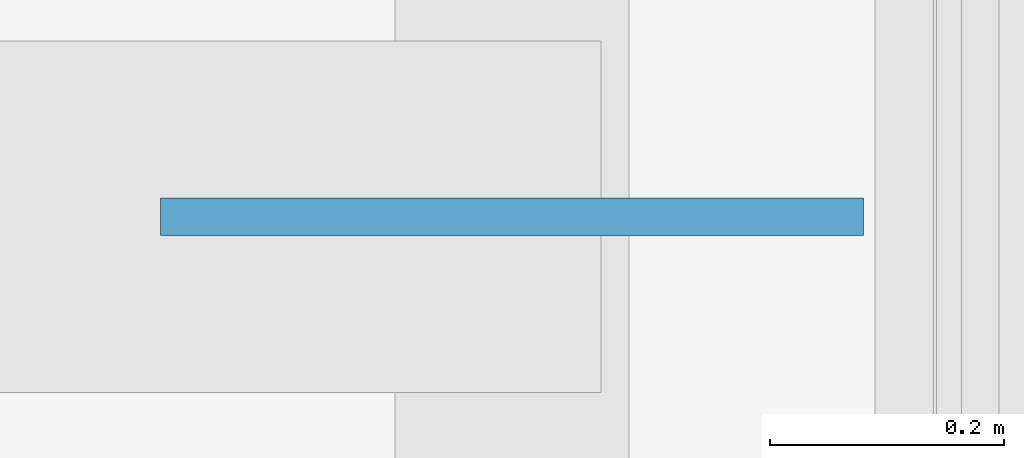
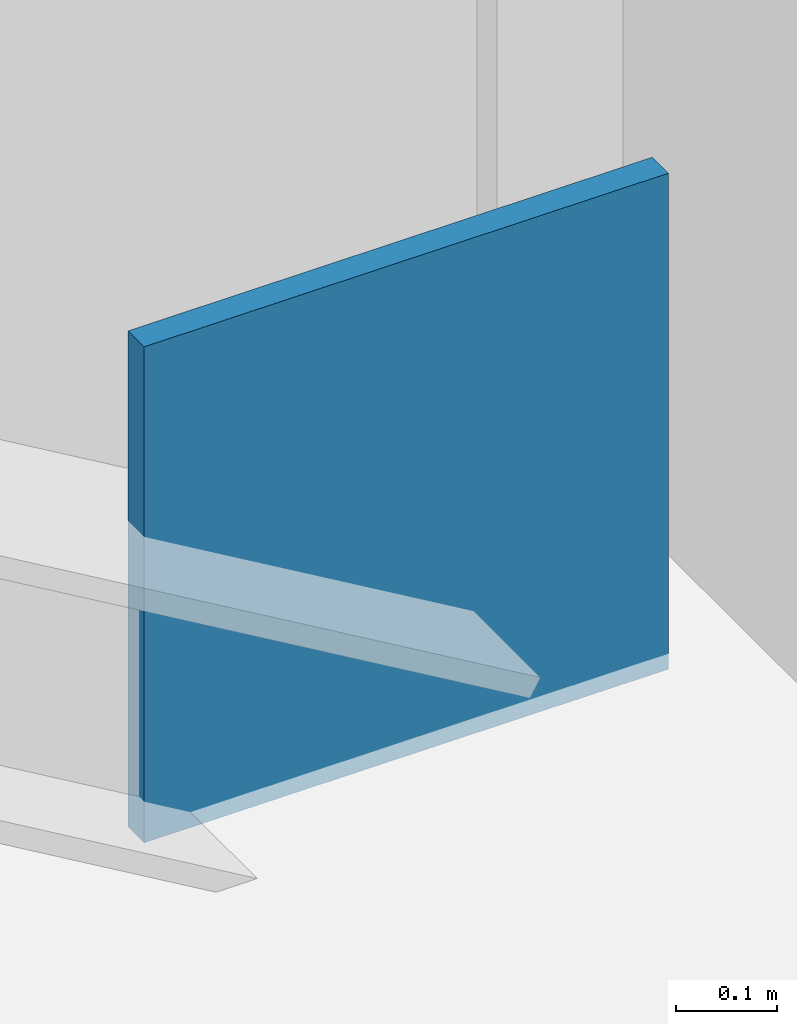
# One storey, part 29 of 38: 1 plate.
"""IFC4 building model written with IfcOpenShell, lengths in metres."""

import ifcopenshell
import ifcopenshell.guid

model = None  # the IFC model being written
_history = None  # IfcOwnerHistory: only IFC2X3 demands one
_inside = {}  # id of a spatial element -> (the spatial element, [elements in it])
_under = {}  # id of a project, library or spatial element -> (it, [spatial elements below it])
_declared = {}  # id of a project -> (the project, [libraries it declares])
_typed = {}  # id of a type object -> (the type object, [elements of that type])
_made_of = {}  # id of a material, layer set ... -> (it, [elements and type objects made of it])


def new_model(schema):
    """Start an empty IFC model of exactly this schema.

    Asked for "IFC4X3", IfcOpenShell would pick the latest addendum, in which some entities
    have other attributes; the version numbers below select the first issue.
    IFC2X3 requires an IfcOwnerHistory on every rooted entity: one is made here for all.
    """
    global model, _history
    if schema == "IFC4X3":
        model = ifcopenshell.file(schema_version=(4, 3, 0, 0))
    else:
        model = ifcopenshell.file(schema=schema)
    _inside.clear()
    _under.clear()
    _declared.clear()
    _typed.clear()
    _made_of.clear()
    _history = None
    if model.schema == "IFC2X3":
        org = make("IfcOrganization", Name="unknown")
        user = make(
            "IfcPersonAndOrganization",
            ThePerson=make("IfcPerson", FamilyName="unknown"),
            TheOrganization=org,
        )
        app = make(
            "IfcApplication",
            ApplicationDeveloper=org,
            Version="unknown",
            ApplicationFullName="unknown",
            ApplicationIdentifier="unknown",
        )
        _history = make(
            "IfcOwnerHistory",
            OwningUser=user,
            OwningApplication=app,
            ChangeAction="ADDED",
            CreationDate=0,
        )
    return model


def make(cls, **values):
    """One entity of the class cls with the attributes given. An attribute that is None is left unset."""
    return model.create_entity(
        cls, **{name: value for name, value in values.items() if value is not None}
    )


def rooted(cls, **values):
    """An entity with a GlobalId (a new one), such as an element, a storey or a relation."""
    return make(cls, GlobalId=ifcopenshell.guid.new(), OwnerHistory=_history, **values)


def si_unit(unit_type, name, prefix=None):
    """IfcSIUnit, for example si_unit("LENGTHUNIT", "METRE", prefix="MILLI")."""
    return make("IfcSIUnit", UnitType=unit_type, Prefix=prefix, Name=name)


def assignment(units):
    """IfcUnitAssignment: the units of a project."""
    return None if units is None else make("IfcUnitAssignment", Units=units)


def point(xyz):
    """IfcCartesianPoint."""
    return None if xyz is None else make("IfcCartesianPoint", Coordinates=xyz)


def direction(xyz):
    """IfcDirection."""
    return None if xyz is None else make("IfcDirection", DirectionRatios=xyz)


def frame(location, z_axis=None, x_axis=None):
    """IfcAxis2Placement3D, a coordinate frame: its origin and axes. An axis left out is left unset."""
    return make(
        "IfcAxis2Placement3D",
        Location=point(location),
        Axis=direction(z_axis),
        RefDirection=direction(x_axis),
    )


def frame_2d(location, x_axis=None):
    """IfcAxis2Placement2D, a coordinate frame in the plane: its origin and x axis."""
    return make(
        "IfcAxis2Placement2D", Location=point(location), RefDirection=direction(x_axis)
    )


def origin():
    """The frame at (0, 0, 0) with its axes left unset."""
    return frame((0.0, 0.0, 0.0))


def origin_2d():
    """The frame at (0, 0) in the plane with its x axis left unset."""
    return frame_2d((0.0, 0.0))


def place(relative_to, where):
    """IfcLocalPlacement: puts the frame where relative to a parent placement (None: the world)."""
    return make(
        "IfcLocalPlacement", PlacementRelTo=relative_to, RelativePlacement=where
    )


def context(
    kind, dimensions, precision=None, world=None, true_north=None, identifier=None
):
    """IfcGeometricRepresentationContext, for example the 3D "Model" context."""
    return make(
        "IfcGeometricRepresentationContext",
        ContextIdentifier=identifier,
        ContextType=kind,
        CoordinateSpaceDimension=dimensions,
        Precision=precision,
        WorldCoordinateSystem=world,
        TrueNorth=true_north,
    )


def subcontext(parent, identifier, kind, view, scale=None):
    """IfcGeometricRepresentationSubContext, for example "Body" below "Model"."""
    return make(
        "IfcGeometricRepresentationSubContext",
        ContextIdentifier=identifier,
        ContextType=kind,
        ParentContext=parent,
        TargetScale=scale,
        TargetView=view,
    )


def project(units=None, contexts=None):
    """IfcProject with its units and contexts."""
    return rooted(
        "IfcProject",
        Name="project",
        RepresentationContexts=contexts,
        UnitsInContext=assignment(units),
    )


def spatial(cls, under=None, at=None, **own):
    """A site, building, storey or space (cls), placed at a placement, below another one or the project."""
    s = rooted(cls, ObjectPlacement=at, **own)
    if under is not None:
        _under.setdefault(under.id(), (under, []))[1].append(s)
    return s


def profile(cls, at=None, kind="AREA", **sizes):
    """A parametric profile (cls). Its sizes go by their IFC names, for example OverallWidth=200.0."""
    return make(cls, ProfileType=kind, Position=at, **sizes)


def rectangle(**sizes):
    """IfcRectangleProfileDef."""
    return profile("IfcRectangleProfileDef", **sizes)


def extrude(swept, where, along, depth):
    """IfcExtrudedAreaSolid: the profile swept, set in the frame where, extruded along a direction by depth."""
    return make(
        "IfcExtrudedAreaSolid",
        SweptArea=swept,
        Position=where,
        ExtrudedDirection=direction(along),
        Depth=depth,
    )


def shape(context_of_items, identifier, shape_type, items):
    """IfcShapeRepresentation: the items that make up one representation, for example the "Body"."""
    return make(
        "IfcShapeRepresentation",
        ContextOfItems=context_of_items,
        RepresentationIdentifier=identifier,
        RepresentationType=shape_type,
        Items=items,
    )


def source(mapping_origin, context_of_items, identifier, shape_type, items):
    """IfcRepresentationMap: a shape defined once, which mapped items show again and again."""
    return make(
        "IfcRepresentationMap",
        MappingOrigin=mapping_origin,
        MappedRepresentation=shape(context_of_items, identifier, shape_type, items),
    )


def transform(
    local_origin,
    x_axis=None,
    y_axis=None,
    z_axis=None,
    scale=None,
    scale2=None,
    scale3=None,
    uniform=True,
):
    """IfcCartesianTransformationOperator3D, or its non-uniform kind. x_axis, y_axis, z_axis: its Axis1, 2, 3."""
    if uniform:
        return make(
            "IfcCartesianTransformationOperator3D",
            Axis1=direction(x_axis),
            Axis2=direction(y_axis),
            LocalOrigin=point(local_origin),
            Scale=scale,
            Axis3=direction(z_axis),
        )
    return make(
        "IfcCartesianTransformationOperator3DnonUniform",
        Axis1=direction(x_axis),
        Axis2=direction(y_axis),
        LocalOrigin=point(local_origin),
        Scale=scale,
        Axis3=direction(z_axis),
        Scale2=scale2,
        Scale3=scale3,
    )


def mapped(mapping_source, mapping_target):
    """IfcMappedItem: shows the shape of a source again, moved by a transform."""
    return make(
        "IfcMappedItem", MappingSource=mapping_source, MappingTarget=mapping_target
    )


def material(Name=None, Category=None):
    """IfcMaterial."""
    return make("IfcMaterial", Name=Name, Category=Category)


def layer(
    of_material, thickness, ventilated=None, Name=None, Category=None, Priority=None
):
    """IfcMaterialLayer: one layer of a wall or slab, of a material (None: an air gap)."""
    return make(
        "IfcMaterialLayer",
        Material=of_material,
        LayerThickness=thickness,
        IsVentilated=ventilated,
        Name=Name,
        Category=Category,
        Priority=Priority,
    )


def layer_set(layers, Name=None):
    """IfcMaterialLayerSet."""
    return make("IfcMaterialLayerSet", MaterialLayers=layers, LayerSetName=Name)


def made_of(thing, what):
    """Note that an element or type object is made of a material, layer set ...; save() writes the relation."""
    if what is not None:
        _made_of.setdefault(what.id(), (what, []))[1].append(thing)
    return thing


def type_object(cls, material=None, **own):
    """A type object (cls), such as IfcWallType, which elements share."""
    return made_of(rooted(cls, **own), material)


def element(
    cls,
    number,
    at=None,
    inside=None,
    cuts=None,
    type_object=None,
    material=None,
    context=None,
    identifier="Body",
    shape_type=None,
    held_by="IfcProductDefinitionShape",
    body=None,
    shapes=None,
    **own,
):
    """One element of the class cls, such as IfcWall. Its Tag is "e" and its number.

    at: its placement. inside: the storey or other place that contains it. cuts: it is an
    opening in that element (IfcRelVoidsElement). A single representation is given by context,
    identifier, shape_type and body (its items); several are given by shapes. held_by: the class
    of the entity that holds the representations. save() writes the other relations.
    """
    e = rooted(cls, Tag="e%d" % number, ObjectPlacement=at, **own)
    if body is not None:
        shapes = [shape(context, identifier, shape_type, body)]
    if shapes is not None:
        e.Representation = make(held_by, Representations=shapes)
    if inside is not None:
        _inside.setdefault(inside.id(), (inside, []))[1].append(e)
    if cuts is not None:
        rooted(
            "IfcRelVoidsElement", RelatingBuildingElement=cuts, RelatedOpeningElement=e
        )
    if type_object is not None:
        _typed.setdefault(type_object.id(), (type_object, []))[1].append(e)
    return made_of(e, material)


def aggregate(whole, parts):
    """IfcRelAggregates: a whole, such as a stair, and the parts it consists of."""
    return rooted("IfcRelAggregates", RelatingObject=whole, RelatedObjects=parts)


def save(model, path):
    """Write the relations noted so far, then the file.

    IfcRelAggregates (storeys below a building ...), IfcRelContainedInSpatialStructure (elements
    in a storey), IfcRelDefinesByType, IfcRelAssociatesMaterial and IfcRelDeclares: one each for
    every whole, place, type object, material and project.
    """
    for whole, parts in _under.values():
        aggregate(whole, parts)
    for where, things in _inside.values():
        rooted(
            "IfcRelContainedInSpatialStructure",
            RelatedElements=things,
            RelatingStructure=where,
        )
    for kind, things in _typed.values():
        rooted("IfcRelDefinesByType", RelatedObjects=things, RelatingType=kind)
    for what, things in _made_of.values():
        rooted("IfcRelAssociatesMaterial", RelatedObjects=things, RelatingMaterial=what)
    for by, libraries in _declared.values():
        rooted("IfcRelDeclares", RelatingContext=by, RelatedDefinitions=libraries)
    model.write(path)


model = new_model("IFC4")

# Units and contexts
model_context = context("Model", 3, precision=1e-05, world=origin(), true_north=direction((0.0, 1.0)))
body_context = subcontext(model_context, "Body", "Model", "MODEL_VIEW")
ifc_project = project(units=[si_unit("LENGTHUNIT", "METRE"), si_unit("AREAUNIT", "SQUARE_METRE"), si_unit("VOLUMEUNIT", "CUBIC_METRE"), si_unit("PLANEANGLEUNIT", "RADIAN"), si_unit("MASSUNIT", "GRAM", prefix="KILO")], contexts=[model_context])

# Site, building, storey
site_placement = place(None, origin())
site = spatial("IfcSite", under=ifc_project, at=site_placement, CompositionType="ELEMENT")
building_placement = place(site_placement, origin())
building = spatial("IfcBuilding", under=site, at=building_placement, Name="Trelvane Seafront Commons", CompositionType="ELEMENT")
storey_placement = place(building_placement, frame((0.0, 0.0, 299.10009765625)))
storey = spatial("IfcBuildingStorey", under=building, at=storey_placement, Name="L78", CompositionType="ELEMENT", Elevation=299.10009765625)

# Plate
ifc_material = material(Name="Steel SM355 (S355)", Category="steel")
ifc_layer = layer(ifc_material, 0.031982421875, Name="STR-PLT-GUS2")
ifc_layer_set = layer_set([ifc_layer], Name="Steel SM355 (S355)")
plate_type = type_object("IfcPlateType", Name="STR-PLT-GUS2", PredefinedType="SHEET", material=ifc_layer_set)
shared_shape = source(origin(), body_context, "Body", "SweptSolid", [
    extrude(rectangle(XDim=0.60009765625, YDim=0.031982421875, at=origin_2d()), origin(), (0.0, 0.0, 1.0), 0.60009765625),
])
plate_placement = place(storey_placement, frame((65.60009765625, 44.10009765625, -0.020263671875), z_axis=(0.0, 0.0, 1.0), x_axis=(1.0, 0.0, 0.0)))
element("IfcPlate", 1, at=plate_placement, inside=storey, type_object=plate_type, Name="L78 Brace Connection Gusset Plate GP-121", PredefinedType="SHEET", context=body_context, shape_type="MappedRepresentation", body=[
    mapped(shared_shape, transform((0.0, 0.0, 0.0), x_axis=(1.0, 0.0, 0.0), y_axis=(0.0, 1.0, 0.0), z_axis=(0.0, 0.0, 1.0), scale=1.0)),
])

save(model, "model.ifc")
